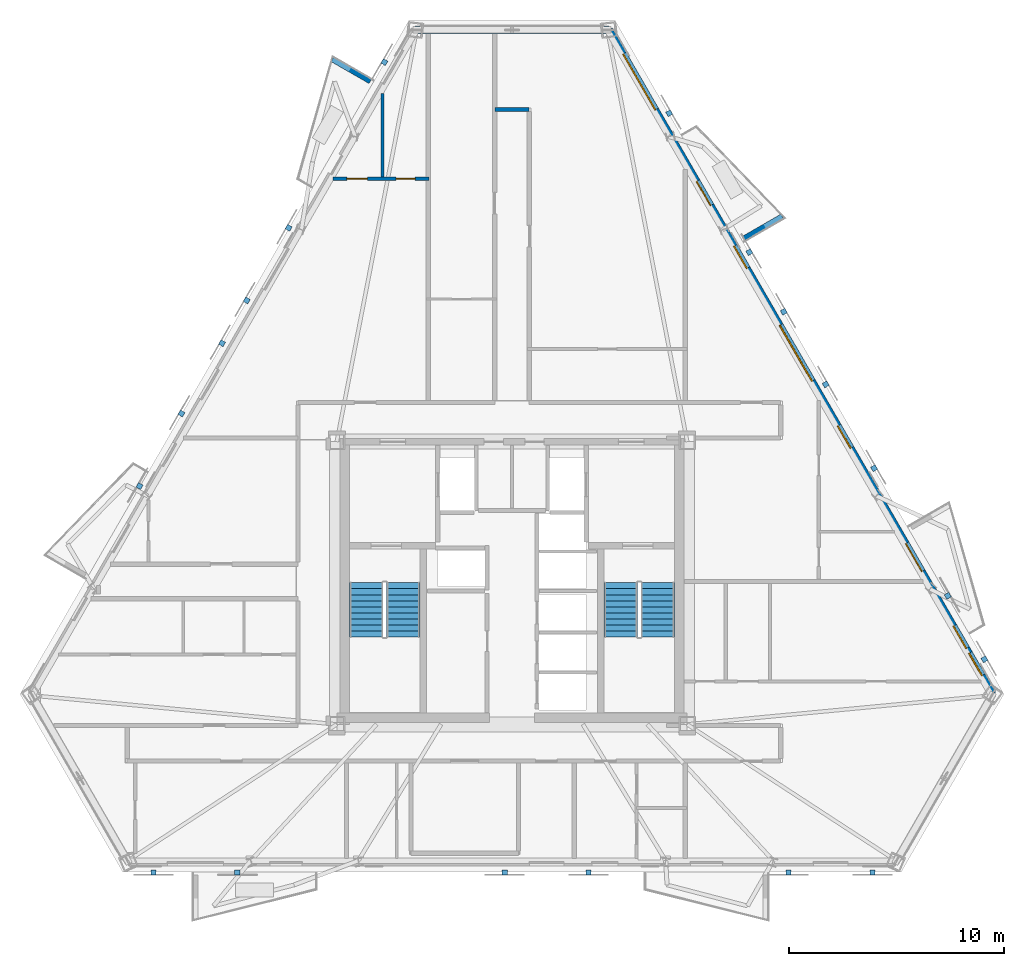
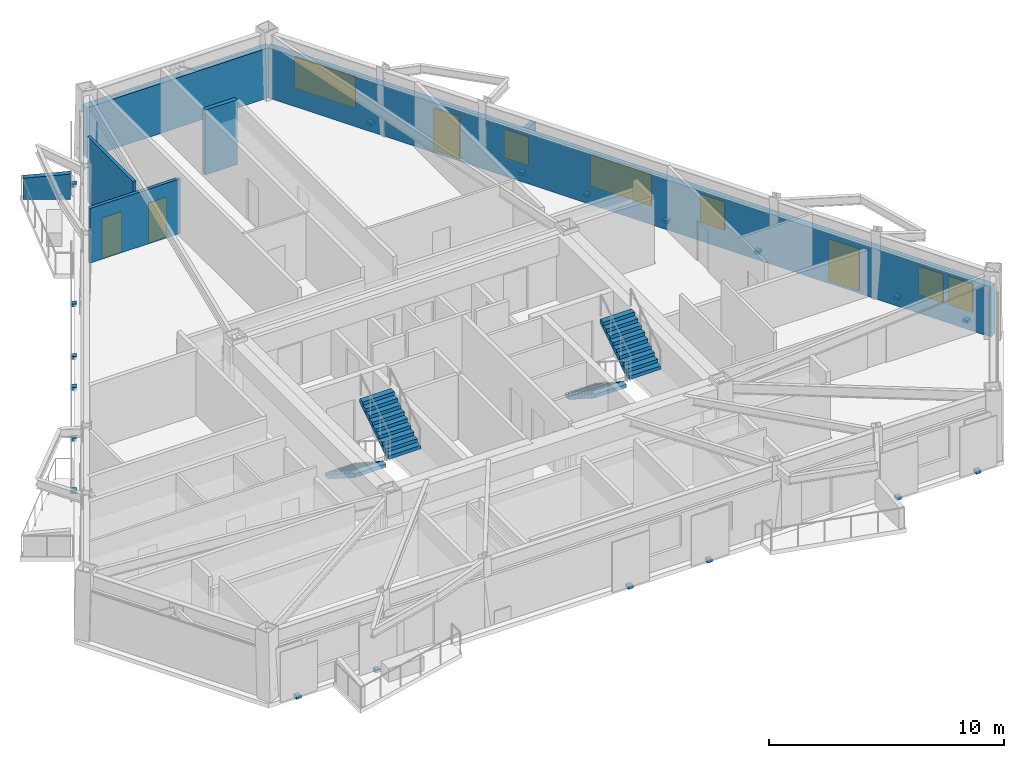
# One storey, part 6 of 9: 19 discrete accessories, 7 walls, 6 windows, 4 doors, 4 stair flights, 10 openings, 2 elements without a shape of their own.
"""IFC4 building model written with IfcOpenShell, lengths in metres."""

from ifc_helpers import new_model, si_unit, direction, frame, frame_2d, origin, origin_2d, place, context, subcontext, project, spatial, polyline, rectangle, outline, extrude, material, layer, layer_set, type_object, element, fill, aggregate, save


model = new_model("IFC4")

# Units and contexts
model_context = context("Model", 3, precision=1e-05, world=origin(), true_north=direction((0.0, 1.0)))
body_context = subcontext(model_context, "Body", "Model", "MODEL_VIEW")
ifc_project = project(units=[si_unit("LENGTHUNIT", "METRE"), si_unit("AREAUNIT", "SQUARE_METRE"), si_unit("VOLUMEUNIT", "CUBIC_METRE"), si_unit("PLANEANGLEUNIT", "RADIAN"), si_unit("MASSUNIT", "GRAM", prefix="KILO")], contexts=[model_context])

# Site, building, storey
site_placement = place(None, origin())
site = spatial("IfcSite", under=ifc_project, at=site_placement, CompositionType="ELEMENT")
building_placement = place(site_placement, origin())
building = spatial("IfcBuilding", under=site, at=building_placement, Name="Oramaril Tower", CompositionType="ELEMENT")
storey_placement = place(building_placement, frame((0.0, 0.0, 160.199951171875)))
storey = spatial("IfcBuildingStorey", under=building, at=storey_placement, Name="L42", CompositionType="ELEMENT", Elevation=160.199951171875)

# Wall, openings, doors, windows
ifc_material_1 = material(Name="Warm Cream Limestone", Category="masonry")
ifc_layer_1 = layer(ifc_material_1, 0.340087890625)
ifc_layer_set_1 = layer_set([ifc_layer_1], Name="WT-EXT34")
wall_type_1 = type_object("IfcWallType", Name="WT-EXT34", PredefinedType="SOLIDWALL", material=ifc_layer_set_1)
wall_1_placement = place(storey_placement, frame((59.85302734375, 12.409912109375, 0.0), z_axis=(0.0, 0.0, 1.0), x_axis=(-0.499995364632, 0.866028079999, 0.0)))
wall_1 = element("IfcWall", 1, at=wall_1_placement, inside=storey, type_object=wall_type_1, Name="L42 Tower Limestone Facade Wall 4M", PredefinedType="SOLIDWALL", context=body_context, shape_type="SweptSolid", body=[
    extrude(rectangle(XDim=35.672607421875, YDim=0.340087890625, at=frame_2d((17.83642578125, 0.0))), origin(), (0.0, 0.0, 1.0), 2.60009765625),
])
opening_1_placement = place(wall_1_placement, frame((6.579345703125, 0.0, 0.0)))
opening_1 = element("IfcOpeningElement", 2, at=opening_1_placement, cuts=wall_1, Name="Opening D-L42-BAL-NE1", PredefinedType="OPENING", context=body_context, shape_type="SweptSolid", body=[
    extrude(rectangle(XDim=1.5, YDim=2.199951171875, at=frame_2d((0.75, 1.10009765625))), frame((0.0, 0.169921875, 0.0), z_axis=(0.0, -1.0, 0.0), x_axis=(1.0, 0.0, 0.0)), (0.0, 0.0, 1.0), 0.340087890625),
])
opening_2_placement = place(wall_1_placement, frame((26.23828125, 0.0, 0.0)))
opening_2 = element("IfcOpeningElement", 3, at=opening_2_placement, cuts=wall_1, Name="Opening D-L42-BAL-NE2", PredefinedType="OPENING", context=body_context, shape_type="SweptSolid", body=[
    extrude(rectangle(XDim=1.300048828125, YDim=2.199951171875, at=frame_2d((0.64990234375, 1.10009765625))), frame((0.0, 0.169921875, 0.0), z_axis=(0.0, -1.0, 0.0), x_axis=(1.0, 0.0, 0.0)), (0.0, 0.0, 1.0), 0.340087890625),
])
opening_3_placement = place(wall_1_placement, frame((0.989990234375, 0.0, 0.85009765625)))
opening_3 = element("IfcOpeningElement", 4, at=opening_3_placement, cuts=wall_1, Name="Opening WN-09", PredefinedType="OPENING", context=body_context, shape_type="SweptSolid", body=[
    extrude(rectangle(XDim=1.199951171875, YDim=1.47998046875, at=frame_2d((0.60009765625, 0.739990234375))), frame((0.0, 0.169921875, 0.0), z_axis=(0.0, -1.0, 0.0), x_axis=(1.0, 0.0, 0.0)), (0.0, 0.0, 1.0), 0.340087890625),
])
opening_4_placement = place(wall_1_placement, frame((2.44921875, 0.0, 0.85009765625)))
opening_4 = element("IfcOpeningElement", 5, at=opening_4_placement, cuts=wall_1, Name="Opening WN-09", PredefinedType="OPENING", context=body_context, shape_type="SweptSolid", body=[
    extrude(rectangle(XDim=1.199951171875, YDim=1.47998046875, at=frame_2d((0.60009765625, 0.739990234375))), frame((0.0, 0.169921875, 0.0), z_axis=(0.0, -1.0, 0.0), x_axis=(1.0, 0.0, 0.0)), (0.0, 0.0, 1.0), 0.340087890625),
])
opening_5_placement = place(wall_1_placement, frame((16.806640625, 0.0, 0.85009765625)))
opening_5 = element("IfcOpeningElement", 6, at=opening_5_placement, cuts=wall_1, Name="Opening WN-10", PredefinedType="OPENING", context=body_context, shape_type="SweptSolid", body=[
    extrude(rectangle(XDim=3.0, YDim=1.639892578125, at=frame_2d((1.5, 0.81982421875))), frame((0.0, 0.169921875, 0.0), z_axis=(0.0, -1.0, 0.0), x_axis=(1.0, 0.0, 0.0)), (0.0, 0.0, 1.0), 0.340087890625),
])
opening_6_placement = place(wall_1_placement, frame((22.85888671875, 0.0, 0.85009765625)))
opening_6 = element("IfcOpeningElement", 7, at=opening_6_placement, cuts=wall_1, Name="Opening WN-09", PredefinedType="OPENING", context=body_context, shape_type="SweptSolid", body=[
    extrude(rectangle(XDim=1.199951171875, YDim=1.47998046875, at=frame_2d((0.60009765625, 0.739990234375))), frame((0.0, 0.169921875, 0.0), z_axis=(0.0, -1.0, 0.0), x_axis=(1.0, 0.0, 0.0)), (0.0, 0.0, 1.0), 0.340087890625),
])
opening_7_placement = place(wall_1_placement, frame((13.203125, 0.0, 0.85009765625)))
opening_7 = element("IfcOpeningElement", 8, at=opening_7_placement, cuts=wall_1, Name="Opening WN-09", PredefinedType="OPENING", context=body_context, shape_type="SweptSolid", body=[
    extrude(rectangle(XDim=1.199951171875, YDim=1.47998046875, at=frame_2d((0.60009765625, 0.739990234375))), frame((0.0, 0.169921875, 0.0), z_axis=(0.0, -1.0, 0.0), x_axis=(1.0, 0.0, 0.0)), (0.0, 0.0, 1.0), 0.340087890625),
])
opening_8_placement = place(wall_1_placement, frame((31.3701171875, 0.0, 0.85009765625)))
opening_8 = element("IfcOpeningElement", 9, at=opening_8_placement, cuts=wall_1, Name="Opening WN-10", PredefinedType="OPENING", context=body_context, shape_type="SweptSolid", body=[
    extrude(rectangle(XDim=3.0, YDim=1.639892578125, at=frame_2d((1.5, 0.81982421875))), frame((0.0, 0.169921875, 0.0), z_axis=(0.0, -1.0, 0.0), x_axis=(1.0, 0.0, 0.0)), (0.0, 0.0, 1.0), 0.340087890625),
])
ifc_material_2 = material(Name="Anodised Aluminium 6063-T6", Category="aluminium")
door_type_1 = type_object("IfcDoorType", Name="DT-BAL", OperationType="NOTDEFINED", PredefinedType="DOOR", material=ifc_material_2)
door_1_placement = place(opening_1_placement, origin())
door_1 = element("IfcDoor", 10, at=door_1_placement, inside=storey, type_object=door_type_1, Name="L42 Balcony Glazed Door L42-BAL-NE1", OperationType="SINGLE_SWING_LEFT", OverallHeight=2.199951171875, OverallWidth=1.5, PredefinedType="DOOR", context=body_context, shape_type="SweptSolid", body=[
    extrude(rectangle(XDim=1.5, YDim=2.199951171875, at=frame_2d((0.75, 1.10009765625))), frame((0.0, 0.02490234375, 0.0), z_axis=(0.0, -1.0, 0.0), x_axis=(1.0, 0.0, 0.0)), (0.0, 0.0, 1.0), 0.050048828125),
])
fill(opening_1, door_1)
ifc_material_3 = material(Name="Anodised Aluminium 6063-T6", Category="aluminium")
door_type_2 = type_object("IfcDoorType", Name="DT-E2", OperationType="NOTDEFINED", PredefinedType="DOOR", material=ifc_material_3)
door_2_placement = place(opening_2_placement, origin())
door_2 = element("IfcDoor", 11, at=door_2_placement, inside=storey, type_object=door_type_2, Name="L42 Balcony Glazed Door L42-BAL-NE2", OperationType="SINGLE_SWING_RIGHT", OverallHeight=2.199951171875, OverallWidth=1.300048828125, PredefinedType="DOOR", context=body_context, shape_type="SweptSolid", body=[
    extrude(rectangle(XDim=1.300048828125, YDim=2.199951171875, at=frame_2d((0.64990234375, 1.10009765625))), frame((0.0, 0.02490234375, 0.0), z_axis=(0.0, -1.0, 0.0), x_axis=(1.0, 0.0, 0.0)), (0.0, 0.0, 1.0), 0.050048828125),
])
fill(opening_2, door_2)
ifc_material_4 = material(Name="Coastal Low-E Insulated Glass", Category="glass")
window_type_1 = type_object("IfcWindowType", Name="WNT-09", PartitioningType="SINGLE_PANEL", PredefinedType="WINDOW", material=ifc_material_4)
window_1_placement = place(opening_3_placement, origin())
window_1 = element("IfcWindow", 12, at=window_1_placement, inside=storey, type_object=window_type_1, Name="L42 Chicago Bay Window WN-09", OverallHeight=1.47998046875, OverallWidth=1.199951171875, PartitioningType="SINGLE_PANEL", PredefinedType="WINDOW", context=body_context, shape_type="SweptSolid", body=[
    extrude(rectangle(XDim=1.199951171875, YDim=1.47998046875, at=frame_2d((0.60009765625, 0.739990234375))), frame((0.0, 0.030029296875, 0.0), z_axis=(0.0, -1.0, 0.0), x_axis=(1.0, 0.0, 0.0)), (0.0, 0.0, 1.0), 0.06005859375),
])
fill(opening_3, window_1)
window_2_placement = place(opening_4_placement, origin())
window_2 = element("IfcWindow", 13, at=window_2_placement, inside=storey, type_object=window_type_1, Name="L42 Chicago Bay Window WN-09", OverallHeight=1.47998046875, OverallWidth=1.199951171875, PartitioningType="SINGLE_PANEL", PredefinedType="WINDOW", context=body_context, shape_type="SweptSolid", body=[
    extrude(rectangle(XDim=1.199951171875, YDim=1.47998046875, at=frame_2d((0.60009765625, 0.739990234375))), frame((0.0, 0.030029296875, 0.0), z_axis=(0.0, -1.0, 0.0), x_axis=(1.0, 0.0, 0.0)), (0.0, 0.0, 1.0), 0.06005859375),
])
fill(opening_4, window_2)
window_3_placement = place(opening_6_placement, origin())
window_3 = element("IfcWindow", 14, at=window_3_placement, inside=storey, type_object=window_type_1, Name="L42 Chicago Bay Window WN-09", OverallHeight=1.47998046875, OverallWidth=1.199951171875, PartitioningType="SINGLE_PANEL", PredefinedType="WINDOW", context=body_context, shape_type="SweptSolid", body=[
    extrude(rectangle(XDim=1.199951171875, YDim=1.47998046875, at=frame_2d((0.60009765625, 0.739990234375))), frame((0.0, 0.030029296875, 0.0), z_axis=(0.0, -1.0, 0.0), x_axis=(1.0, 0.0, 0.0)), (0.0, 0.0, 1.0), 0.06005859375),
])
fill(opening_6, window_3)
window_4_placement = place(opening_7_placement, origin())
window_4 = element("IfcWindow", 15, at=window_4_placement, inside=storey, type_object=window_type_1, Name="L42 Chicago Bay Window WN-09", OverallHeight=1.47998046875, OverallWidth=1.199951171875, PartitioningType="SINGLE_PANEL", PredefinedType="WINDOW", context=body_context, shape_type="SweptSolid", body=[
    extrude(rectangle(XDim=1.199951171875, YDim=1.47998046875, at=frame_2d((0.60009765625, 0.739990234375))), frame((0.0, 0.030029296875, 0.0), z_axis=(0.0, -1.0, 0.0), x_axis=(1.0, 0.0, 0.0)), (0.0, 0.0, 1.0), 0.06005859375),
])
fill(opening_7, window_4)
ifc_material_5 = material(Name="Coastal Low-E Insulated Glass", Category="glass")
window_type_2 = type_object("IfcWindowType", Name="WNT-10", PartitioningType="SINGLE_PANEL", PredefinedType="WINDOW", material=ifc_material_5)
window_5_placement = place(opening_5_placement, origin())
window_5 = element("IfcWindow", 16, at=window_5_placement, inside=storey, type_object=window_type_2, Name="L42 Chicago Bay Window WN-10", OverallHeight=1.639892578125, OverallWidth=3.0, PartitioningType="SINGLE_PANEL", PredefinedType="WINDOW", context=body_context, shape_type="SweptSolid", body=[
    extrude(rectangle(XDim=3.0, YDim=1.639892578125, at=frame_2d((1.5, 0.81982421875))), frame((0.0, 0.030029296875, 0.0), z_axis=(0.0, -1.0, 0.0), x_axis=(1.0, 0.0, 0.0)), (0.0, 0.0, 1.0), 0.06005859375),
])
fill(opening_5, window_5)
window_6_placement = place(opening_8_placement, origin())
window_6 = element("IfcWindow", 17, at=window_6_placement, inside=storey, type_object=window_type_2, Name="L42 Chicago Bay Window WN-10", OverallHeight=1.639892578125, OverallWidth=3.0, PartitioningType="SINGLE_PANEL", PredefinedType="WINDOW", context=body_context, shape_type="SweptSolid", body=[
    extrude(rectangle(XDim=3.0, YDim=1.639892578125, at=frame_2d((1.5, 0.81982421875))), frame((0.0, 0.030029296875, 0.0), z_axis=(0.0, -1.0, 0.0), x_axis=(1.0, 0.0, 0.0)), (0.0, 0.0, 1.0), 0.06005859375),
])
fill(opening_8, window_6)

# Walls
wall_2_placement = place(storey_placement, frame((42.016845703125, 43.303466796875, 0.0), z_axis=(0.0, 0.0, 1.0), x_axis=(-1.0, 0.0, 0.0)))
element("IfcWall", 18, at=wall_2_placement, inside=storey, type_object=wall_type_1, Name="L42 Tower Limestone Facade Wall 5M", PredefinedType="SOLIDWALL", context=body_context, shape_type="SweptSolid", body=[
    extrude(rectangle(XDim=9.03369140625, YDim=0.340087890625, at=frame_2d((4.516845703125, 0.0))), origin(), (0.0, 0.0, 1.0), 2.60009765625),
])
ifc_material_6 = material(Name="Concrete C40/50", Category="concrete")
ifc_layer_2 = layer(ifc_material_6, 0.22998046875)
ifc_layer_set_2 = layer_set([ifc_layer_2], Name="WT-PRP23")
wall_type_2 = type_object("IfcWallType", Name="WT-PRP23", PredefinedType="PARAPET", material=ifc_layer_set_2)
for number, where, z_axis, x_axis, name in (
    (19, (48.29931640625, 33.61767578125, 0.0), (0.0, 0.0, 1.0), (0.866042246008, 0.499970827278, 0.0), "L42 Trapezoidal Balcony Frame Cheek L42-BAL-NE2-L"),
    (20, (30.908203125, 40.9052734375, 0.0), (0.0, 0.0, 1.0), (-0.866042246008, 0.499970827278, 0.0), "L42 Trapezoidal Balcony Frame Cheek L42-BAL-NW1-L"),
):
    element("IfcWall", number, at=place(storey_placement, frame(where, z_axis=z_axis, x_axis=x_axis)), inside=storey, type_object=wall_type_2, Name=name, PredefinedType="PARAPET", context=body_context, shape_type="SweptSolid", body=[
        extrude(outline(polyline([(0.0, 0.0), (2.0419921875, 0.0), (2.0419921875, 1.10009765625), (0.0, 1.320068359375), (0.0, 0.0)])), frame((0.0, 0.114990234375, 0.0), z_axis=(0.0, -1.0, 0.0), x_axis=(1.0, 0.0, 0.0)), (0.0, 0.0, 1.0), 0.22998046875),
    ])
ifc_material_7 = material(Name="Acoustic Gypsum Board Partition")
ifc_layer_3 = layer(ifc_material_7, 0.139892578125)
ifc_layer_set_3 = layer_set([ifc_layer_3], Name="WT-PT14")
wall_type_3 = type_object("IfcWallType", Name="WT-PT14", PredefinedType="PARTITIONING", material=ifc_layer_set_3)
wall_3_placement = place(storey_placement, frame((31.469970703125, 36.4541015625, 0.0), z_axis=(0.0, 0.0, 1.0), x_axis=(0.0, 1.0, 0.0)))
element("IfcWall", 21, at=wall_3_placement, inside=storey, type_object=wall_type_3, Name="L42 Interior Partition PT-14", PredefinedType="PARTITIONING", context=body_context, shape_type="SweptSolid", body=[
    extrude(rectangle(XDim=3.88037109375, YDim=0.139892578125, at=frame_2d((1.940185546875, 0.0))), origin(), (0.0, 0.0, 1.0), 3.380126953125),
])

# Wall, openings, doors
ifc_material_8 = material(Name="Acoustic Gypsum Board Partition")
ifc_layer_4 = layer(ifc_material_8, 0.159912109375)
ifc_layer_set_4 = layer_set([ifc_layer_4], Name="WT-PT16")
wall_type_4 = type_object("IfcWallType", Name="WT-PT16", PredefinedType="PARTITIONING", material=ifc_layer_set_4)
wall_4_placement = place(storey_placement, frame((29.18115234375, 36.3701171875, 0.0), z_axis=(0.0, 0.0, 1.0), x_axis=(1.0, 0.0, 0.0)))
wall_4 = element("IfcWall", 22, at=wall_4_placement, inside=storey, type_object=wall_type_4, Name="L42 Interior Partition PT-16", PredefinedType="PARTITIONING", context=body_context, shape_type="SweptSolid", body=[
    extrude(rectangle(XDim=4.46875, YDim=0.159912109375, at=frame_2d((2.234375, 0.0))), origin(), (0.0, 0.0, 1.0), 2.842041015625),
])
opening_9_placement = place(wall_4_placement, frame((0.640380859375, 0.0, 0.0)))
opening_9 = element("IfcOpeningElement", 23, at=opening_9_placement, cuts=wall_4, Name="Opening D-L42-18", PredefinedType="OPENING", context=body_context, shape_type="SweptSolid", body=[
    extrude(rectangle(XDim=0.949951171875, YDim=2.10009765625, at=frame_2d((0.47509765625, 1.050048828125))), frame((0.0, 0.080078125, 0.0), z_axis=(0.0, -1.0, 0.0), x_axis=(1.0, 0.0, 0.0)), (0.0, 0.0, 1.0), 0.159912109375),
])
opening_10_placement = place(wall_4_placement, frame((2.927734375, 0.0, 0.0)))
opening_10 = element("IfcOpeningElement", 24, at=opening_10_placement, cuts=wall_4, Name="Opening D-L42-19", PredefinedType="OPENING", context=body_context, shape_type="SweptSolid", body=[
    extrude(rectangle(XDim=0.8798828125, YDim=2.080078125, at=frame_2d((0.43994140625, 1.0400390625))), frame((0.0, 0.080078125, 0.0), z_axis=(0.0, -1.0, 0.0), x_axis=(1.0, 0.0, 0.0)), (0.0, 0.0, 1.0), 0.159912109375),
])
ifc_material_9 = material(Name="FSC Brazilian Freijo Hardwood", Category="wood")
door_type_3 = type_object("IfcDoorType", Name="DT-BATH", OperationType="NOTDEFINED", PredefinedType="DOOR", material=ifc_material_9)
door_3_placement = place(opening_10_placement, origin())
door_3 = element("IfcDoor", 25, at=door_3_placement, inside=storey, type_object=door_type_3, Name="L42 Flat L42-U8 Bathroom Door D-L42-19", OperationType="SINGLE_SWING_LEFT", OverallHeight=2.080078125, OverallWidth=0.8798828125, PredefinedType="DOOR", context=body_context, shape_type="SweptSolid", body=[
    extrude(rectangle(XDim=0.8798828125, YDim=2.080078125, at=frame_2d((0.43994140625, 1.0400390625))), frame((0.0, 0.02490234375, 0.0), z_axis=(0.0, -1.0, 0.0), x_axis=(1.0, 0.0, 0.0)), (0.0, 0.0, 1.0), 0.050048828125),
])
fill(opening_10, door_3)
ifc_material_10 = material(Name="FSC Brazilian Freijo Hardwood", Category="wood")
door_type_4 = type_object("IfcDoorType", Name="DT-STDY", OperationType="NOTDEFINED", PredefinedType="DOOR", material=ifc_material_10)
door_4_placement = place(opening_9_placement, origin())
door_4 = element("IfcDoor", 26, at=door_4_placement, inside=storey, type_object=door_type_4, Name="L42 Flat L42-U8 Kitchen Door D-L42-18", OperationType="SINGLE_SWING_RIGHT", OverallHeight=2.10009765625, OverallWidth=0.949951171875, PredefinedType="DOOR", context=body_context, shape_type="SweptSolid", body=[
    extrude(rectangle(XDim=0.949951171875, YDim=2.10009765625, at=frame_2d((0.47509765625, 1.050048828125))), frame((0.0, 0.02490234375, 0.0), z_axis=(0.0, -1.0, 0.0), x_axis=(1.0, 0.0, 0.0)), (0.0, 0.0, 1.0), 0.050048828125),
])
fill(opening_9, door_4)

# Wall
ifc_material_11 = material(Name="Autoclaved Cellular Concrete Block", Category="concrete")
ifc_layer_5 = layer(ifc_material_11, 0.199951171875)
ifc_layer_set_5 = layer_set([ifc_layer_5], Name="WT-PT20")
wall_type_5 = type_object("IfcWallType", Name="WT-PT20", PredefinedType="PARTITIONING", material=ifc_layer_set_5)
wall_5_placement = place(storey_placement, frame((36.699951171875, 39.60009765625, 0.0), z_axis=(0.0, 0.0, 1.0), x_axis=(1.0, 0.0, 0.0)))
element("IfcWall", 27, at=wall_5_placement, inside=storey, type_object=wall_type_5, Name="L42 Interior Partition PT-20", PredefinedType="PARTITIONING", context=body_context, shape_type="SweptSolid", body=[
    extrude(rectangle(XDim=1.60009765625, YDim=0.199951171875, at=frame_2d((0.800048828125, 0.0))), origin(), (0.0, 0.0, 1.0), 3.380126953125),
])

# Stair, stair flights
ifc_material_12 = material(Name="Concrete C50/60", Category="concrete")
stair_type = type_object("IfcStairType", Name="STT-DG-3600", PredefinedType="HALF_TURN_STAIR", material=ifc_material_12)
stair_1_placement = place(storey_placement, origin())
stair_1 = element("IfcStair", 28, at=stair_1_placement, inside=storey, type_object=stair_type, Name="L42 Protected PFP Exit Stair ST-1", PredefinedType="HALF_TURN_STAIR")
ifc_material_13 = material(Name="Concrete C50/60", Category="concrete")
stair_flight_type = type_object("IfcStairFlightType", Name="SFT-DG-3600", PredefinedType="STRAIGHT", material=ifc_material_13)
stair_flight_1_placement = place(storey_placement, frame((30.72998046875, 17.590087890625, 0.0), z_axis=(0.0, 0.0, 1.0), x_axis=(0.0, -1.0, 0.0)))
stair_flight_1 = element("IfcStairFlight", 29, at=stair_flight_1_placement, type_object=stair_flight_type, Name="ST-1 flight 1", NumberOfRisers=10, NumberOfTreads=9, PredefinedType="STRAIGHT", RiserHeight=0.18, TreadLength=0.28, context=body_context, shape_type="SweptSolid", body=[
    extrude(outline(polyline([(0.0, 0.0), (0.0, 0.179931640625), (0.280029296875, 0.179931640625), (0.280029296875, 0.360107421875), (0.56005859375, 0.360107421875), (0.56005859375, 0.5400390625), (0.840087890625, 0.5400390625), (0.840087890625, 0.719970703125), (1.1201171875, 0.719970703125), (1.1201171875, 0.89990234375), (1.39990234375, 0.89990234375), (1.39990234375, 1.080078125), (1.679931640625, 1.080078125), (1.679931640625, 1.260009765625), (1.9599609375, 1.260009765625), (1.9599609375, 1.43994140625), (2.239990234375, 1.43994140625), (2.239990234375, 1.6201171875), (2.52001953125, 1.6201171875), (2.52001953125, 1.800048828125), (2.52001953125, 1.44189453125), (0.277099609375, 0.0), (0.0, 0.0)])), frame((0.0, 0.780029296875, 0.0), z_axis=(0.0, -1.0, 0.0), x_axis=(1.0, 0.0, 0.0)), (0.0, 0.0, 1.0), 1.56005859375),
])
stair_flight_2_placement = place(storey_placement, frame((32.43994140625, 15.070068359375, 1.800048828125), z_axis=(0.0, 0.0, 1.0), x_axis=(0.0, 1.0, 0.0)))
stair_flight_2 = element("IfcStairFlight", 30, at=stair_flight_2_placement, type_object=stair_flight_type, Name="ST-1 flight 2", NumberOfRisers=10, NumberOfTreads=9, PredefinedType="STRAIGHT", RiserHeight=0.18, TreadLength=0.28, context=body_context, shape_type="SweptSolid", body=[
    extrude(outline(polyline([(0.0, 0.0), (0.0, 0.179931640625), (0.280029296875, 0.179931640625), (0.280029296875, 0.360107421875), (0.56005859375, 0.360107421875), (0.56005859375, 0.5400390625), (0.840087890625, 0.5400390625), (0.840087890625, 0.719970703125), (1.1201171875, 0.719970703125), (1.1201171875, 0.89990234375), (1.39990234375, 0.89990234375), (1.39990234375, 1.080078125), (1.679931640625, 1.080078125), (1.679931640625, 1.260009765625), (1.9599609375, 1.260009765625), (1.9599609375, 1.43994140625), (2.239990234375, 1.43994140625), (2.239990234375, 1.6201171875), (2.52001953125, 1.6201171875), (2.52001953125, 1.800048828125), (2.52001953125, 1.44189453125), (0.277099609375, 0.0), (0.0, 0.0)])), frame((0.0, 0.780029296875, 0.0), z_axis=(0.0, -1.0, 0.0), x_axis=(1.0, 0.0, 0.0)), (0.0, 0.0, 1.0), 1.56005859375),
])
aggregate(stair_1, [stair_flight_1, stair_flight_2])

stair_2_placement = place(storey_placement, origin())
stair_2 = element("IfcStair", 31, at=stair_2_placement, inside=storey, type_object=stair_type, Name="L42 Protected PFP Exit Stair ST-2", PredefinedType="HALF_TURN_STAIR")
stair_flight_3_placement = place(storey_placement, frame((42.56005859375, 17.590087890625, 0.0), z_axis=(0.0, 0.0, 1.0), x_axis=(0.0, -1.0, 0.0)))
stair_flight_3 = element("IfcStairFlight", 32, at=stair_flight_3_placement, type_object=stair_flight_type, Name="ST-2 flight 1", NumberOfRisers=10, NumberOfTreads=9, PredefinedType="STRAIGHT", RiserHeight=0.18, TreadLength=0.28, context=body_context, shape_type="SweptSolid", body=[
    extrude(outline(polyline([(0.0, 0.0), (0.0, 0.179931640625), (0.280029296875, 0.179931640625), (0.280029296875, 0.360107421875), (0.56005859375, 0.360107421875), (0.56005859375, 0.5400390625), (0.840087890625, 0.5400390625), (0.840087890625, 0.719970703125), (1.1201171875, 0.719970703125), (1.1201171875, 0.89990234375), (1.39990234375, 0.89990234375), (1.39990234375, 1.080078125), (1.679931640625, 1.080078125), (1.679931640625, 1.260009765625), (1.9599609375, 1.260009765625), (1.9599609375, 1.43994140625), (2.239990234375, 1.43994140625), (2.239990234375, 1.6201171875), (2.52001953125, 1.6201171875), (2.52001953125, 1.800048828125), (2.52001953125, 1.44189453125), (0.277099609375, 0.0), (0.0, 0.0)])), frame((0.0, 0.780029296875, 0.0), z_axis=(0.0, -1.0, 0.0), x_axis=(1.0, 0.0, 0.0)), (0.0, 0.0, 1.0), 1.56005859375),
])
stair_flight_4_placement = place(storey_placement, frame((44.27001953125, 15.070068359375, 1.800048828125), z_axis=(0.0, 0.0, 1.0), x_axis=(0.0, 1.0, 0.0)))
stair_flight_4 = element("IfcStairFlight", 33, at=stair_flight_4_placement, type_object=stair_flight_type, Name="ST-2 flight 2", NumberOfRisers=10, NumberOfTreads=9, PredefinedType="STRAIGHT", RiserHeight=0.18, TreadLength=0.28, context=body_context, shape_type="SweptSolid", body=[
    extrude(outline(polyline([(0.0, 0.0), (0.0, 0.179931640625), (0.280029296875, 0.179931640625), (0.280029296875, 0.360107421875), (0.56005859375, 0.360107421875), (0.56005859375, 0.5400390625), (0.840087890625, 0.5400390625), (0.840087890625, 0.719970703125), (1.1201171875, 0.719970703125), (1.1201171875, 0.89990234375), (1.39990234375, 0.89990234375), (1.39990234375, 1.080078125), (1.679931640625, 1.080078125), (1.679931640625, 1.260009765625), (1.9599609375, 1.260009765625), (1.9599609375, 1.43994140625), (2.239990234375, 1.43994140625), (2.239990234375, 1.6201171875), (2.52001953125, 1.6201171875), (2.52001953125, 1.800048828125), (2.52001953125, 1.44189453125), (0.277099609375, 0.0), (0.0, 0.0)])), frame((0.0, 0.780029296875, 0.0), z_axis=(0.0, -1.0, 0.0), x_axis=(1.0, 0.0, 0.0)), (0.0, 0.0, 1.0), 1.56005859375),
])
aggregate(stair_2, [stair_flight_3, stair_flight_4])

# Discrete accessories
for number, where, z_axis, x_axis, name in (
    (34, (20.8232421875, 4.106689453125, -0.14013671875), (0.0, 0.0, 1.0), (1.0, 0.0, 0.0), "L42 Solar Screen Slab Bracket"),
    (35, (24.723388671875, 4.106689453125, -0.14013671875), (0.0, 0.0, 1.0), (1.0, 0.0, 0.0), "L42 Solar Screen Slab Bracket"),
    (36, (37.1591796875, 4.106689453125, -0.14013671875), (0.0, 0.0, 1.0), (1.0, 0.0, 0.0), "L42 Solar Screen Slab Bracket"),
    (37, (41.05908203125, 4.106689453125, -0.14013671875), (0.0, 0.0, 1.0), (1.0, 0.0, 0.0), "L42 Solar Screen Slab Bracket"),
    (38, (50.36669921875, 4.106689453125, -0.14013671875), (0.0, 0.0, 1.0), (1.0, 0.0, 0.0), "L42 Solar Screen Slab Bracket"),
    (39, (54.2666015625, 4.106689453125, -0.14013671875), (0.0, 0.0, 1.0), (1.0, 0.0, 0.0), "L42 Solar Screen Slab Bracket"),
    (40, (59.473876953125, 14.027099609375, -0.14013671875), (0.0, 0.0, 1.0), (-0.5, 0.866025403784, 0.0), "L42 Solar Screen Slab Bracket"),
    (41, (57.76904296875, 16.9794921875, -0.14013671875), (0.0, 0.0, 1.0), (-0.5, 0.866025403784, 0.0), "L42 Solar Screen Slab Bracket"),
    (42, (52.090576171875, 26.815185546875, -0.14013671875), (0.0, 0.0, 1.0), (-0.5, 0.866025403784, 0.0), "L42 Solar Screen Slab Bracket"),
    (43, (50.140380859375, 30.192626953125, -0.14013671875), (0.0, 0.0, 1.0), (-0.5, 0.866025403784, 0.0), "L42 Solar Screen Slab Bracket"),
    (44, (48.539306640625, 32.966064453125, -0.14013671875), (0.0, 0.0, 1.0), (-0.5, 0.866025403784, 0.0), "L42 Solar Screen Slab Bracket"),
    (45, (54.34228515625, 22.9150390625, -0.14013671875), (0.0, 0.0, 1.0), (-0.5, 0.866025403784, 0.0), "L42 Solar Screen Slab Bracket"),
    (46, (44.808837890625, 39.427490234375, -0.14013671875), (0.0, 0.0, 1.0), (-0.5, 0.866025403784, 0.0), "L42 Solar Screen Slab Bracket"),
    (47, (22.127197265625, 25.460205078125, -0.14013671875), (0.0, 0.0, 1.0), (-0.5, -0.866025403784, 0.0), "L42 Solar Screen Slab Bracket"),
    (48, (20.177001953125, 22.08251953125, -0.14013671875), (0.0, 0.0, 1.0), (-0.5, -0.866025403784, 0.0), "L42 Solar Screen Slab Bracket"),
    (49, (27.11328125, 34.0966796875, -0.14013671875), (0.0, 0.0, 1.0), (-0.5, -0.866025403784, 0.0), "L42 Solar Screen Slab Bracket"),
    (50, (25.163330078125, 30.718994140625, -0.14013671875), (0.0, 0.0, 1.0), (-0.5, -0.866025403784, 0.0), "L42 Solar Screen Slab Bracket"),
    (51, (24.013916015625, 28.728271484375, -0.14013671875), (0.0, 0.0, 1.0), (-0.5, -0.866025403784, 0.0), "L42 Solar Screen Slab Bracket"),
    (52, (31.5634765625, 41.804443359375, -0.14013671875), (0.0, 0.0, 1.0), (-0.5, -0.866025403784, 0.0), "L42 Solar Screen Slab Bracket"),
):
    element("IfcDiscreteAccessory", number, at=place(storey_placement, frame(where, z_axis=z_axis, x_axis=x_axis)), inside=storey, Name=name, PredefinedType="BRACKET", context=body_context, shape_type="SweptSolid", body=[
        extrude(rectangle(XDim=0.239990234375, YDim=0.239990234375, at=origin_2d()), origin(), (0.0, 0.0, 1.0), 0.159912109375),
    ])

save(model, "model.ifc")
